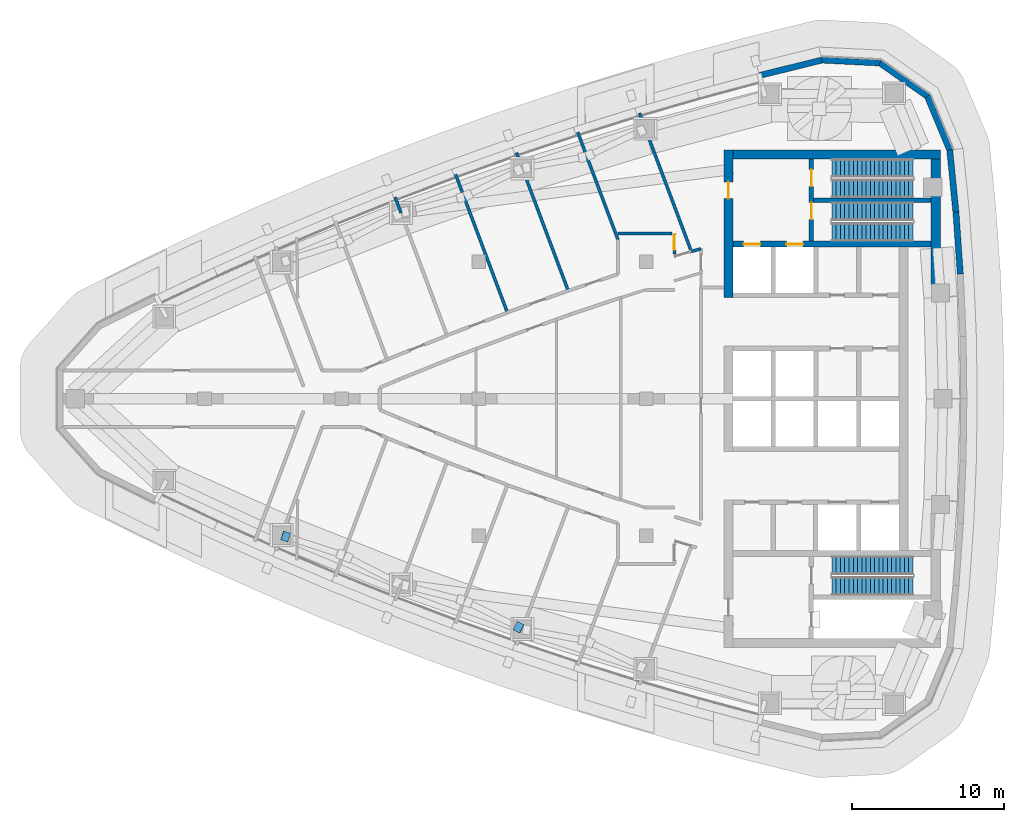
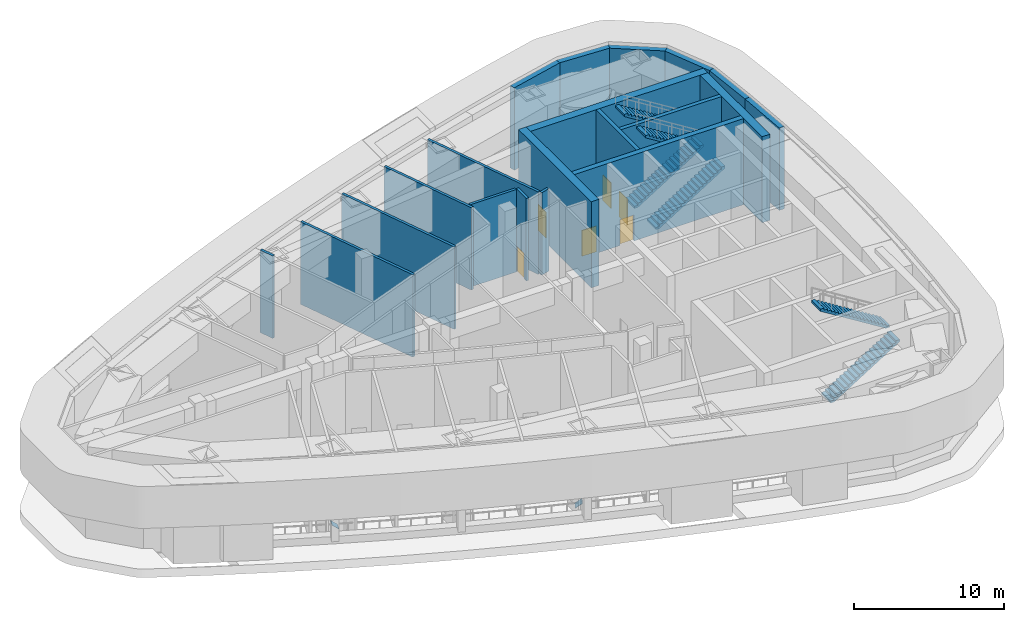
# One storey, part 5 of 12: 20 walls, 6 doors, 6 stair flights, 2 discrete accessories, 6 openings, 3 elements without a shape of their own.
"""IFC4 building model written with IfcOpenShell, lengths in metres."""

from ifc_helpers import new_model, si_unit, direction, frame, frame_2d, origin, origin_2d, place, context, subcontext, project, spatial, polyline, rectangle, outline, extrude, material, layer, layer_set, material_profile, profile_set, type_object, element, fill, aggregate, save


model = new_model("IFC4")

# Units and contexts
model_context = context("Model", 3, precision=1e-05, world=origin(), true_north=direction((0.0, 1.0)))
body_context = subcontext(model_context, "Body", "Model", "MODEL_VIEW")
ifc_project = project(units=[si_unit("LENGTHUNIT", "METRE"), si_unit("AREAUNIT", "SQUARE_METRE"), si_unit("VOLUMEUNIT", "CUBIC_METRE"), si_unit("PLANEANGLEUNIT", "RADIAN"), si_unit("MASSUNIT", "GRAM", prefix="KILO")], contexts=[model_context])

# Site, building, storey
site_placement = place(None, origin())
site = spatial("IfcSite", under=ifc_project, at=site_placement, CompositionType="ELEMENT")
building_placement = place(site_placement, origin())
building = spatial("IfcBuilding", under=site, at=building_placement, Name="Ostrand Prow Hotel Tower", CompositionType="ELEMENT")
storey_placement = place(building_placement, frame((0.0, 0.0, 256.300048828125)))
storey = spatial("IfcBuildingStorey", under=building, at=storey_placement, Name="L65", CompositionType="ELEMENT", Elevation=256.300048828125)

# Wall, openings, doors
ifc_material_1 = material(Name="Concrete C50/60", Category="concrete")
ifc_layer_1 = layer(ifc_material_1, 0.300048828125)
ifc_layer_set_1 = layer_set([ifc_layer_1], Name="Concrete C50/60")
wall_type_1 = type_object("IfcWallType", Name="Core wall 300 C50/60", PredefinedType="SHEAR", material=ifc_layer_set_1)
wall_1_placement = place(storey_placement, frame((55.85009765625, 10.35009765625, 0.0), z_axis=(0.0, 0.0, 1.0), x_axis=(0.0, 1.0, 0.0)))
wall_1 = element("IfcWall", 1, at=wall_1_placement, inside=storey, type_object=wall_type_1, Name="Core wall PW-VN", PredefinedType="SHEAR", context=body_context, shape_type="SweptSolid", body=[
    extrude(rectangle(XDim=5.39990234375, YDim=0.300048828125, at=frame_2d((2.699951171875, 0.0))), origin(), (0.0, 0.0, 1.0), 7.0),
])
opening_1_placement = place(wall_1_placement, frame((1.429931640625, 0.0, 0.0)))
opening_1 = element("IfcOpeningElement", 2, at=opening_1_placement, cuts=wall_1, Name="Opening FD1", PredefinedType="OPENING", context=body_context, shape_type="SweptSolid", body=[
    extrude(rectangle(XDim=1.10009765625, YDim=2.10009765625, at=frame_2d((0.550048828125, 1.050048828125))), frame((0.0, 0.159912109375, 0.0), z_axis=(0.0, -1.0, 0.0), x_axis=(1.0, 0.0, 0.0)), (0.0, 0.0, 1.0), 0.320068359375),
])
opening_2_placement = place(wall_1_placement, frame((3.60009765625, 0.0, 0.0)))
opening_2 = element("IfcOpeningElement", 3, at=opening_2_placement, cuts=wall_1, Name="Opening FD1", PredefinedType="OPENING", context=body_context, shape_type="SweptSolid", body=[
    extrude(rectangle(XDim=1.10009765625, YDim=2.10009765625, at=frame_2d((0.550048828125, 1.050048828125))), frame((0.0, 0.159912109375, 0.0), z_axis=(0.0, -1.0, 0.0), x_axis=(1.0, 0.0, 0.0)), (0.0, 0.0, 1.0), 0.320068359375),
])
ifc_material_2 = material(Name="Steel fire door", Category="steel")
door_type_1 = type_object("IfcDoorType", Name="Fire door 1100 EI120", OperationType="SINGLE_SWING_RIGHT", PredefinedType="DOOR", material=ifc_material_2)
door_1_placement = place(opening_1_placement, origin())
door_1 = element("IfcDoor", 4, at=door_1_placement, inside=storey, type_object=door_type_1, Name="FIRE DOOR", OperationType="SINGLE_SWING_RIGHT", OverallHeight=2.10009765625, OverallWidth=1.10009765625, PredefinedType="DOOR", context=body_context, shape_type="SweptSolid", body=[
    extrude(rectangle(XDim=1.10009765625, YDim=2.10009765625, at=frame_2d((0.550048828125, 1.050048828125))), frame((0.0, 0.02490234375, 0.0), z_axis=(0.0, -1.0, 0.0), x_axis=(1.0, 0.0, 0.0)), (0.0, 0.0, 1.0), 0.050048828125),
])
fill(opening_1, door_1)
door_2_placement = place(opening_2_placement, origin())
door_2 = element("IfcDoor", 5, at=door_2_placement, inside=storey, type_object=door_type_1, Name="FIRE DOOR", OperationType="SINGLE_SWING_RIGHT", OverallHeight=2.10009765625, OverallWidth=1.10009765625, PredefinedType="DOOR", context=body_context, shape_type="SweptSolid", body=[
    extrude(rectangle(XDim=1.10009765625, YDim=2.10009765625, at=frame_2d((0.550048828125, 1.050048828125))), frame((0.0, 0.02490234375, 0.0), z_axis=(0.0, -1.0, 0.0), x_axis=(1.0, 0.0, 0.0)), (0.0, 0.0, 1.0), 0.050048828125),
])
fill(opening_2, door_2)

# Wall
wall_2_placement = place(storey_placement, frame((56.0, 13.050048828125, 0.0), z_axis=(0.0, 0.0, 1.0), x_axis=(1.0, 0.0, 0.0)))
element("IfcWall", 6, at=wall_2_placement, inside=storey, type_object=wall_type_1, Name="Core wall PW-ST13", PredefinedType="SHEAR", context=body_context, shape_type="SweptSolid", body=[
    extrude(rectangle(XDim=7.719970703125, YDim=0.300048828125, at=frame_2d((3.85986328125, 0.0))), origin(), (0.0, 0.0, 1.0), 7.0),
])

# Wall, openings, doors
ifc_material_3 = material(Name="Concrete C50/60", Category="concrete")
ifc_layer_2 = layer(ifc_material_3, 0.39990234375)
ifc_layer_set_2 = layer_set([ifc_layer_2], Name="Concrete C50/60")
wall_type_2 = type_object("IfcWallType", Name="Core wall 400 C50/60", PredefinedType="SHEAR", material=ifc_layer_set_2)
wall_3_placement = place(storey_placement, frame((50.699951171875, 10.14990234375, 0.0), z_axis=(0.0, 0.0, 1.0), x_axis=(1.0, 0.0, 0.0)))
wall_3 = element("IfcWall", 7, at=wall_3_placement, inside=storey, type_object=wall_type_2, Name="Core wall PW-BN", PredefinedType="SHEAR", context=body_context, shape_type="SweptSolid", body=[
    extrude(rectangle(XDim=13.02001953125, YDim=0.39990234375, at=frame_2d((6.510009765625, 0.0))), origin(), (0.0, 0.0, 1.0), 7.0),
])
opening_3_placement = place(wall_3_placement, frame((0.699951171875, 0.0, 0.0)))
opening_3 = element("IfcOpeningElement", 8, at=opening_3_placement, cuts=wall_3, Name="Opening LD", PredefinedType="OPENING", context=body_context, shape_type="SweptSolid", body=[
    extrude(rectangle(XDim=1.10009765625, YDim=2.10009765625, at=frame_2d((0.550048828125, 1.050048828125))), frame((0.0, 0.2099609375, 0.0), z_axis=(0.0, -1.0, 0.0), x_axis=(1.0, 0.0, 0.0)), (0.0, 0.0, 1.0), 0.419921875),
])
opening_4_placement = place(wall_3_placement, frame((3.5, 0.0, 0.0)))
opening_4 = element("IfcOpeningElement", 9, at=opening_4_placement, cuts=wall_3, Name="Opening LD", PredefinedType="OPENING", context=body_context, shape_type="SweptSolid", body=[
    extrude(rectangle(XDim=1.10009765625, YDim=2.10009765625, at=frame_2d((0.550048828125, 1.050048828125))), frame((0.0, 0.2099609375, 0.0), z_axis=(0.0, -1.0, 0.0), x_axis=(1.0, 0.0, 0.0)), (0.0, 0.0, 1.0), 0.419921875),
])
ifc_material_4 = material(Name="Stainless steel door", Category="steel")
door_type_2 = type_object("IfcDoorType", Name="Lift landing door 1100", OperationType="DOUBLE_DOOR_SLIDING", PredefinedType="DOOR", material=ifc_material_4)
door_3_placement = place(opening_3_placement, origin())
door_3 = element("IfcDoor", 10, at=door_3_placement, inside=storey, type_object=door_type_2, Name="LIFT LANDING DOOR", OperationType="DOUBLE_DOOR_SLIDING", OverallHeight=2.10009765625, OverallWidth=1.10009765625, PredefinedType="DOOR", context=body_context, shape_type="SweptSolid", body=[
    extrude(rectangle(XDim=1.10009765625, YDim=2.10009765625, at=frame_2d((0.550048828125, 1.050048828125))), frame((0.0, 0.02490234375, 0.0), z_axis=(0.0, -1.0, 0.0), x_axis=(1.0, 0.0, 0.0)), (0.0, 0.0, 1.0), 0.050048828125),
])
fill(opening_3, door_3)
door_4_placement = place(opening_4_placement, origin())
door_4 = element("IfcDoor", 11, at=door_4_placement, inside=storey, type_object=door_type_2, Name="LIFT LANDING DOOR", OperationType="DOUBLE_DOOR_SLIDING", OverallHeight=2.10009765625, OverallWidth=1.10009765625, PredefinedType="DOOR", context=body_context, shape_type="SweptSolid", body=[
    extrude(rectangle(XDim=1.10009765625, YDim=2.10009765625, at=frame_2d((0.550048828125, 1.050048828125))), frame((0.0, 0.02490234375, 0.0), z_axis=(0.0, -1.0, 0.0), x_axis=(1.0, 0.0, 0.0)), (0.0, 0.0, 1.0), 0.050048828125),
])
fill(opening_4, door_4)

# Wall, opening, door
ifc_material_5 = material(Name="Concrete C50/60", Category="concrete")
ifc_layer_3 = layer(ifc_material_5, 0.60009765625)
ifc_layer_set_3 = layer_set([ifc_layer_3], Name="Concrete C50/60")
wall_type_3 = type_object("IfcWallType", Name="Core wall 600 C50/60", PredefinedType="SHEAR", material=ifc_layer_set_3)
wall_4_placement = place(storey_placement, frame((50.39990234375, 6.64990234375, 0.0), z_axis=(0.0, 0.0, 1.0), x_axis=(0.0, 1.0, 0.0)))
wall_4 = element("IfcWall", 12, at=wall_4_placement, inside=storey, type_object=wall_type_3, Name="Core wall CW-W-N", PredefinedType="SHEAR", context=body_context, shape_type="SweptSolid", body=[
    extrude(rectangle(XDim=9.7001953125, YDim=0.60009765625, at=frame_2d((4.85009765625, 0.0))), origin(), (0.0, 0.0, 1.0), 7.0),
])
opening_5_placement = place(wall_4_placement, frame((6.5, 0.0, 0.0)))
opening_5 = element("IfcOpeningElement", 13, at=opening_5_placement, cuts=wall_4, Name="Opening FD1", PredefinedType="OPENING", context=body_context, shape_type="SweptSolid", body=[
    extrude(rectangle(XDim=1.10009765625, YDim=2.10009765625, at=frame_2d((0.550048828125, 1.050048828125))), frame((0.0, 0.31005859375, 0.0), z_axis=(0.0, -1.0, 0.0), x_axis=(1.0, 0.0, 0.0)), (0.0, 0.0, 1.0), 0.6201171875),
])
door_5_placement = place(opening_5_placement, origin())
door_5 = element("IfcDoor", 14, at=door_5_placement, inside=storey, type_object=door_type_1, Name="FIRE DOOR", OperationType="SINGLE_SWING_RIGHT", OverallHeight=2.10009765625, OverallWidth=1.10009765625, PredefinedType="DOOR", context=body_context, shape_type="SweptSolid", body=[
    extrude(rectangle(XDim=1.10009765625, YDim=2.10009765625, at=frame_2d((0.550048828125, 1.050048828125))), frame((0.0, 0.02490234375, 0.0), z_axis=(0.0, -1.0, 0.0), x_axis=(1.0, 0.0, 0.0)), (0.0, 0.0, 1.0), 0.050048828125),
])
fill(opening_5, door_5)

# Walls
wall_5_placement = place(storey_placement, frame((50.699951171875, 16.050048828125, 0.0), z_axis=(0.0, 0.0, 1.0), x_axis=(1.0, 0.0, 0.0)))
element("IfcWall", 15, at=wall_5_placement, inside=storey, type_object=wall_type_3, Name="Core wall CW-N", PredefinedType="SHEAR", context=body_context, shape_type="SweptSolid", body=[
    extrude(rectangle(XDim=13.6201171875, YDim=0.60009765625, at=frame_2d((6.81005859375, 0.0))), origin(), (0.0, 0.0, 1.0), 7.0),
])
wall_6_placement = place(storey_placement, frame((64.02001953125, 7.502197265625, 0.0), z_axis=(0.0, 0.0, 1.0), x_axis=(0.0, 1.0, 0.0)))
element("IfcWall", 16, at=wall_6_placement, inside=storey, type_object=wall_type_3, Name="Core wall CW-E-N", PredefinedType="SHEAR", context=body_context, shape_type="SweptSolid", body=[
    extrude(rectangle(XDim=8.247802734375, YDim=0.60009765625, at=frame_2d((4.1240234375, 0.0))), origin(), (0.0, 0.0, 1.0), 7.0),
])
ifc_material_6 = material(Name="Plasterboard partition")
ifc_layer_4 = layer(ifc_material_6, 0.199951171875)
ifc_layer_set_4 = layer_set([ifc_layer_4], Name="Plasterboard partition")
wall_type_4 = type_object("IfcWallType", Name="Partition 200 corridor wall", PredefinedType="PARTITIONING", material=ifc_layer_set_4)
wall_7_placement = place(storey_placement, frame((48.60009765625, 9.854248046875, 0.0), z_axis=(0.0, 0.0, 1.0), x_axis=(-0.960464925665, -0.27840101754, 0.0)))
element("IfcWall", 17, at=wall_7_placement, inside=storey, type_object=wall_type_4, Name="CORRIDOR WALL", PredefinedType="PARTITIONING", context=body_context, shape_type="SweptSolid", body=[
    extrude(rectangle(XDim=0.65673828125, YDim=0.199951171875, at=frame_2d((0.328369140625, 0.0))), origin(), (0.0, 0.0, 1.0), 6.699951171875),
])

# Wall, opening, door
wall_8_placement = place(storey_placement, frame((46.85009765625, 9.52001953125, 0.0), z_axis=(0.0, 0.0, 1.0), x_axis=(0.0007315287, 0.999999732433, 0.0)))
wall_8 = element("IfcWall", 18, at=wall_8_placement, inside=storey, type_object=wall_type_4, Name="CORRIDOR WALL", PredefinedType="PARTITIONING", context=body_context, shape_type="SweptSolid", body=[
    extrude(rectangle(XDim=1.3349609375, YDim=0.199951171875, at=frame_2d((0.66748046875, 0.0))), origin(), (0.0, 0.0, 1.0), 6.699951171875),
])
opening_6_placement = place(wall_8_placement, frame((0.257080078125, 0.0, 0.0)))
opening_6 = element("IfcOpeningElement", 19, at=opening_6_placement, cuts=wall_8, Name="Opening D1R", PredefinedType="OPENING", context=body_context, shape_type="SweptSolid", body=[
    extrude(rectangle(XDim=1.0, YDim=2.10009765625, at=frame_2d((0.5, 1.050048828125))), frame((0.0, 0.10986328125, 0.0), z_axis=(0.0, -1.0, 0.0), x_axis=(1.0, 0.0, 0.0)), (0.0, 0.0, 1.0), 0.219970703125),
])
ifc_material_7 = material(Name="Timber door leaf", Category="wood")
door_type_3 = type_object("IfcDoorType", Name="Guest room door 1000 right", OperationType="SINGLE_SWING_RIGHT", PredefinedType="DOOR", material=ifc_material_7)
door_6_placement = place(opening_6_placement, origin())
door_6 = element("IfcDoor", 20, at=door_6_placement, inside=storey, type_object=door_type_3, Name="DOOR", OperationType="SINGLE_SWING_RIGHT", OverallHeight=2.10009765625, OverallWidth=1.0, PredefinedType="DOOR", context=body_context, shape_type="SweptSolid", body=[
    extrude(rectangle(XDim=1.0, YDim=2.10009765625, at=frame_2d((0.5, 1.050048828125))), frame((0.0, 0.02490234375, 0.0), z_axis=(0.0, -1.0, 0.0), x_axis=(1.0, 0.0, 0.0)), (0.0, 0.0, 1.0), 0.050048828125),
])
fill(opening_6, door_6)

# Walls
wall_9_placement = place(storey_placement, frame((46.7109375, 10.85498046875, 0.0), z_axis=(0.0, 0.0, 1.0), x_axis=(-1.0, 0.0, 0.0)))
element("IfcWall", 21, at=wall_9_placement, inside=storey, type_object=wall_type_4, Name="CORRIDOR WALL", PredefinedType="PARTITIONING", context=body_context, shape_type="SweptSolid", body=[
    extrude(rectangle(XDim=3.5615234375, YDim=0.199951171875, at=frame_2d((1.78076171875, 0.0))), origin(), (0.0, 0.0, 1.0), 6.699951171875),
])
ifc_material_8 = material(Name="Plasterboard partition")
ifc_layer_5 = layer(ifc_material_8, 0.199951171875)
ifc_layer_set_5 = layer_set([ifc_layer_5], Name="Plasterboard partition")
wall_type_5 = type_object("IfcWallType", Name="Partition 200 key partition", PredefinedType="PARTITIONING", material=ifc_layer_set_5)
wall_10_placement = place(storey_placement, frame((28.900146484375, 12.20556640625, 0.0), z_axis=(0.0, 0.0, 1.0), x_axis=(-0.351196471421, 0.936301788133, 0.0)))
element("IfcWall", 22, at=wall_10_placement, inside=storey, type_object=wall_type_5, Name="KEY PARTITION", PredefinedType="PARTITIONING", context=body_context, shape_type="SweptSolid", body=[
    extrude(rectangle(XDim=1.09912109375, YDim=0.199951171875, at=frame_2d((0.549560546875, 0.0))), origin(), (0.0, 0.0, 1.0), 6.699951171875),
])
wall_11_placement = place(storey_placement, frame((35.888916015625, 5.654296875, 0.0), z_axis=(0.0, 0.0, 1.0), x_axis=(-0.351117925717, 0.936331246002, 0.0)))
element("IfcWall", 23, at=wall_11_placement, inside=storey, type_object=wall_type_5, Name="KEY PARTITION", PredefinedType="PARTITIONING", context=body_context, shape_type="SweptSolid", body=[
    extrude(rectangle(XDim=9.701171875, YDim=0.199951171875, at=frame_2d((4.8505859375, 0.0))), origin(), (0.0, 0.0, 1.0), 6.699951171875),
])
wall_12_placement = place(storey_placement, frame((39.889404296875, 7.072265625, 0.0), z_axis=(0.0, 0.0, 1.0), x_axis=(-0.35112895446, 0.936327110224, 0.0)))
element("IfcWall", 24, at=wall_12_placement, inside=storey, type_object=wall_type_5, Name="KEY PARTITION", PredefinedType="PARTITIONING", context=body_context, shape_type="SweptSolid", body=[
    extrude(rectangle(XDim=9.706298828125, YDim=0.199951171875, at=frame_2d((4.85302734375, 0.0))), origin(), (0.0, 0.0, 1.0), 6.699951171875),
])
wall_13_placement = place(storey_placement, frame((43.14990234375, 10.449951171875, 0.0), z_axis=(0.0, 0.0, 1.0), x_axis=(-0.351119888923, 0.936330509811, 0.0)))
element("IfcWall", 25, at=wall_13_placement, inside=storey, type_object=wall_type_5, Name="KEY PARTITION", PredefinedType="PARTITIONING", context=body_context, shape_type="SweptSolid", body=[
    extrude(rectangle(XDim=7.531005859375, YDim=0.199951171875, at=frame_2d((3.765625, 0.0))), origin(), (0.0, 0.0, 1.0), 6.699951171875),
])
wall_14_placement = place(storey_placement, frame((47.920166015625, 9.80224609375, 0.0), z_axis=(0.0, 0.0, 1.0), x_axis=(-0.351129033777, 0.936327080479, 0.0)))
element("IfcWall", 26, at=wall_14_placement, inside=storey, type_object=wall_type_5, Name="KEY PARTITION", PredefinedType="PARTITIONING", context=body_context, shape_type="SweptSolid", body=[
    extrude(rectangle(XDim=9.56884765625, YDim=0.199951171875, at=frame_2d((4.784423828125, 0.0))), origin(), (0.0, 0.0, 1.0), 6.699951171875),
])
ifc_material_9 = material(Name="Precast concrete C40/50", Category="concrete")
ifc_layer_6 = layer(ifc_material_9, 0.39990234375)
ifc_layer_set_6 = layer_set([ifc_layer_6], Name="Precast concrete C40/50")
wall_type_6 = type_object("IfcWallType", Name="Stone-faced precast wall 400 mm", PredefinedType="NOTDEFINED", material=ifc_layer_set_6)
wall_15_placement = place(storey_placement, frame((65.630615234375, 8.181640625, 0.0), z_axis=(0.0, 0.0, 1.0), x_axis=(-0.070623905352, 0.997503014528, 0.0)))
element("IfcWall", 27, at=wall_15_placement, inside=storey, type_object=wall_type_6, Name="Stone-faced wall back 11", PredefinedType="NOTDEFINED", context=body_context, shape_type="SweptSolid", body=[
    extrude(outline(polyline([(-0.002685546875, -0.199951171875), (4.095703125, -0.199951171875), (4.09033203125, 0.199951171875), (0.002685546875, 0.199951171875), (-0.002685546875, -0.199951171875)])), origin(), (0.0, 0.0, 1.0), 6.699951171875),
])
wall_16_placement = place(storey_placement, frame((65.341552734375, 12.264404296875, 0.0), z_axis=(0.0, 0.0, 1.0), x_axis=(-0.098718218066, 0.995115427185, 0.0)))
element("IfcWall", 28, at=wall_16_placement, inside=storey, type_object=wall_type_6, Name="Stone-faced wall back 12", PredefinedType="NOTDEFINED", context=body_context, shape_type="SweptSolid", body=[
    extrude(outline(polyline([(-0.002685546875, -0.199951171875), (4.122802734375, -0.199951171875), (4.063232421875, 0.199951171875), (0.002685546875, 0.199951171875), (-0.002685546875, -0.199951171875)])), origin(), (0.0, 0.0, 1.0), 6.699951171875),
])
wall_17_placement = place(storey_placement, frame((64.9375, 16.33740234375, 0.0), z_axis=(0.0, 0.0, 1.0), x_axis=(-0.3844335483, 0.923152667191, 0.0)))
element("IfcWall", 29, at=wall_17_placement, inside=storey, type_object=wall_type_6, Name="Stone-faced wall back 13", PredefinedType="NOTDEFINED", context=body_context, shape_type="SweptSolid", body=[
    extrude(outline(polyline([(-0.02978515625, -0.199951171875), (3.871337890625, -0.199951171875), (3.755615234375, 0.199951171875), (0.02978515625, 0.199951171875), (-0.02978515625, -0.199951171875)])), origin(), (0.0, 0.0, 1.0), 6.699951171875),
])
wall_18_placement = place(storey_placement, frame((63.471435546875, 19.85791015625, 0.0), z_axis=(0.0, 0.0, 1.0), x_axis=(-0.817942545532, 0.575299915009, 0.0)))
element("IfcWall", 30, at=wall_18_placement, inside=storey, type_object=wall_type_6, Name="Stone-faced wall back 14", PredefinedType="NOTDEFINED", context=body_context, shape_type="SweptSolid", body=[
    extrude(outline(polyline([(-0.057861328125, -0.199951171875), (3.871337890625, -0.199951171875), (3.755615234375, 0.199951171875), (0.057861328125, 0.199951171875), (-0.057861328125, -0.199951171875)])), origin(), (0.0, 0.0, 1.0), 6.699951171875),
])
wall_19_placement = place(storey_placement, frame((60.352294921875, 22.0517578125, 0.0), z_axis=(0.0, 0.0, 1.0), x_axis=(-0.998758875872, 0.049806705046, 0.0)))
element("IfcWall", 31, at=wall_19_placement, inside=storey, type_object=wall_type_6, Name="Stone-faced wall back 15", PredefinedType="NOTDEFINED", context=body_context, shape_type="SweptSolid", body=[
    extrude(outline(polyline([(-0.057861328125, -0.199951171875), (3.8427734375, -0.199951171875), (3.7841796875, 0.199951171875), (0.057861328125, 0.199951171875), (-0.057861328125, -0.199951171875)])), origin(), (0.0, 0.0, 1.0), 6.699951171875),
])
wall_20_placement = place(storey_placement, frame((56.54345703125, 22.24169921875, 0.0), z_axis=(0.0, 0.0, 1.0), x_axis=(-0.970902342456, -0.23947576373, 0.0)))
element("IfcWall", 32, at=wall_20_placement, inside=storey, type_object=wall_type_6, Name="Stone-faced wall back 16", PredefinedType="NOTDEFINED", context=body_context, shape_type="SweptSolid", body=[
    extrude(outline(polyline([(-0.029296875, -0.199951171875), (4.225830078125, -0.199951171875), (4.225830078125, 0.199951171875), (0.029296875, 0.199951171875), (-0.029296875, -0.199951171875)])), origin(), (0.0, 0.0, 1.0), 6.699951171875),
])

# Stair, stair flights
ifc_material_10 = material(Name="Concrete C40/50", Category="concrete")
stair_type = type_object("IfcStairType", Name="Exit stair 1200 upper zone", PredefinedType="HALF_TURN_STAIR", material=ifc_material_10)
stair_1_placement = place(storey_placement, origin())
stair_1 = element("IfcStair", 33, at=stair_1_placement, inside=storey, type_object=stair_type, Name="L65 ST1C", PredefinedType="HALF_TURN_STAIR")
ifc_material_11 = material(Name="Concrete C40/50", Category="concrete")
stair_flight_type = type_object("IfcStairFlightType", Name="Stair flight 1200 concrete", PredefinedType="STRAIGHT", material=ifc_material_11)
stair_flight_1_placement = place(storey_placement, frame((57.199951171875, 10.949951171875, 0.0), z_axis=(0.0, 0.0, 1.0), x_axis=(1.0, 0.0, 0.0)))
stair_flight_1 = element("IfcStairFlight", 34, at=stair_flight_1_placement, type_object=stair_flight_type, Name="ST1C flight 1", NumberOfRisers=20, NumberOfTreads=19, PredefinedType="STRAIGHT", RiserHeight=0.175, TreadLength=0.28, context=body_context, shape_type="SweptSolid", body=[
    extrude(outline(polyline([(0.0, 0.0), (0.0, 0.175048828125), (0.280029296875, 0.175048828125), (0.280029296875, 0.35009765625), (0.56005859375, 0.35009765625), (0.56005859375, 0.52490234375), (0.840087890625, 0.52490234375), (0.840087890625, 0.699951171875), (1.1201171875, 0.699951171875), (1.1201171875, 0.875), (1.39990234375, 0.875), (1.39990234375, 1.050048828125), (1.679931640625, 1.050048828125), (1.679931640625, 1.22509765625), (1.9599609375, 1.22509765625), (1.9599609375, 1.39990234375), (2.239990234375, 1.39990234375), (2.239990234375, 1.574951171875), (2.52001953125, 1.574951171875), (2.52001953125, 1.75), (2.800048828125, 1.75), (2.800048828125, 1.925048828125), (3.080078125, 1.925048828125), (3.080078125, 2.10009765625), (3.360107421875, 2.10009765625), (3.360107421875, 2.27490234375), (3.639892578125, 2.27490234375), (3.639892578125, 2.449951171875), (3.919921875, 2.449951171875), (3.919921875, 2.625), (4.199951171875, 2.625), (4.199951171875, 2.800048828125), (4.47998046875, 2.800048828125), (4.47998046875, 2.97509765625), (4.760009765625, 2.97509765625), (4.760009765625, 3.14990234375), (5.0400390625, 3.14990234375), (5.0400390625, 3.324951171875), (5.320068359375, 3.324951171875), (5.320068359375, 3.5), (5.320068359375, 3.148193359375), (0.28271484375, 0.0), (0.0, 0.0)])), frame((0.0, 0.60009765625, 0.0), z_axis=(0.0, -1.0, 0.0), x_axis=(1.0, 0.0, 0.0)), (0.0, 0.0, 1.0), 1.199951171875),
])
stair_flight_2_placement = place(storey_placement, frame((62.52001953125, 12.300048828125, 3.5), z_axis=(0.0, 0.0, 1.0), x_axis=(-1.0, 0.0, 0.0)))
stair_flight_2 = element("IfcStairFlight", 35, at=stair_flight_2_placement, type_object=stair_flight_type, Name="ST1C flight 2", NumberOfRisers=20, NumberOfTreads=19, PredefinedType="STRAIGHT", RiserHeight=0.175, TreadLength=0.28, context=body_context, shape_type="SweptSolid", body=[
    extrude(outline(polyline([(0.0, 0.0), (0.0, 0.175048828125), (0.280029296875, 0.175048828125), (0.280029296875, 0.35009765625), (0.56005859375, 0.35009765625), (0.56005859375, 0.52490234375), (0.840087890625, 0.52490234375), (0.840087890625, 0.699951171875), (1.1201171875, 0.699951171875), (1.1201171875, 0.875), (1.39990234375, 0.875), (1.39990234375, 1.050048828125), (1.679931640625, 1.050048828125), (1.679931640625, 1.22509765625), (1.9599609375, 1.22509765625), (1.9599609375, 1.39990234375), (2.239990234375, 1.39990234375), (2.239990234375, 1.574951171875), (2.52001953125, 1.574951171875), (2.52001953125, 1.75), (2.800048828125, 1.75), (2.800048828125, 1.925048828125), (3.080078125, 1.925048828125), (3.080078125, 2.10009765625), (3.360107421875, 2.10009765625), (3.360107421875, 2.27490234375), (3.639892578125, 2.27490234375), (3.639892578125, 2.449951171875), (3.919921875, 2.449951171875), (3.919921875, 2.625), (4.199951171875, 2.625), (4.199951171875, 2.800048828125), (4.47998046875, 2.800048828125), (4.47998046875, 2.97509765625), (4.760009765625, 2.97509765625), (4.760009765625, 3.14990234375), (5.0400390625, 3.14990234375), (5.0400390625, 3.324951171875), (5.320068359375, 3.324951171875), (5.320068359375, 3.5), (5.320068359375, 3.148193359375), (0.28271484375, 0.0), (0.0, 0.0)])), frame((0.0, 0.60009765625, 0.0), z_axis=(0.0, -1.0, 0.0), x_axis=(1.0, 0.0, 0.0)), (0.0, 0.0, 1.0), 1.199951171875),
])
aggregate(stair_1, [stair_flight_1, stair_flight_2])

stair_2_placement = place(storey_placement, origin())
stair_2 = element("IfcStair", 36, at=stair_2_placement, inside=storey, type_object=stair_type, Name="L65 ST3C", PredefinedType="HALF_TURN_STAIR")
stair_flight_3_placement = place(storey_placement, frame((57.199951171875, 13.800048828125, 0.0), z_axis=(0.0, 0.0, 1.0), x_axis=(1.0, 0.0, 0.0)))
stair_flight_3 = element("IfcStairFlight", 37, at=stair_flight_3_placement, type_object=stair_flight_type, Name="ST3C flight 1", NumberOfRisers=20, NumberOfTreads=19, PredefinedType="STRAIGHT", RiserHeight=0.175, TreadLength=0.28, context=body_context, shape_type="SweptSolid", body=[
    extrude(outline(polyline([(0.0, 0.0), (0.0, 0.175048828125), (0.280029296875, 0.175048828125), (0.280029296875, 0.35009765625), (0.56005859375, 0.35009765625), (0.56005859375, 0.52490234375), (0.840087890625, 0.52490234375), (0.840087890625, 0.699951171875), (1.1201171875, 0.699951171875), (1.1201171875, 0.875), (1.39990234375, 0.875), (1.39990234375, 1.050048828125), (1.679931640625, 1.050048828125), (1.679931640625, 1.22509765625), (1.9599609375, 1.22509765625), (1.9599609375, 1.39990234375), (2.239990234375, 1.39990234375), (2.239990234375, 1.574951171875), (2.52001953125, 1.574951171875), (2.52001953125, 1.75), (2.800048828125, 1.75), (2.800048828125, 1.925048828125), (3.080078125, 1.925048828125), (3.080078125, 2.10009765625), (3.360107421875, 2.10009765625), (3.360107421875, 2.27490234375), (3.639892578125, 2.27490234375), (3.639892578125, 2.449951171875), (3.919921875, 2.449951171875), (3.919921875, 2.625), (4.199951171875, 2.625), (4.199951171875, 2.800048828125), (4.47998046875, 2.800048828125), (4.47998046875, 2.97509765625), (4.760009765625, 2.97509765625), (4.760009765625, 3.14990234375), (5.0400390625, 3.14990234375), (5.0400390625, 3.324951171875), (5.320068359375, 3.324951171875), (5.320068359375, 3.5), (5.320068359375, 3.148193359375), (0.28271484375, 0.0), (0.0, 0.0)])), frame((0.0, 0.60009765625, 0.0), z_axis=(0.0, -1.0, 0.0), x_axis=(1.0, 0.0, 0.0)), (0.0, 0.0, 1.0), 1.199951171875),
])
stair_flight_4_placement = place(storey_placement, frame((62.52001953125, 15.14990234375, 3.5), z_axis=(0.0, 0.0, 1.0), x_axis=(-1.0, 0.0, 0.0)))
stair_flight_4 = element("IfcStairFlight", 38, at=stair_flight_4_placement, type_object=stair_flight_type, Name="ST3C flight 2", NumberOfRisers=20, NumberOfTreads=19, PredefinedType="STRAIGHT", RiserHeight=0.175, TreadLength=0.28, context=body_context, shape_type="SweptSolid", body=[
    extrude(outline(polyline([(0.0, 0.0), (0.0, 0.175048828125), (0.280029296875, 0.175048828125), (0.280029296875, 0.35009765625), (0.56005859375, 0.35009765625), (0.56005859375, 0.52490234375), (0.840087890625, 0.52490234375), (0.840087890625, 0.699951171875), (1.1201171875, 0.699951171875), (1.1201171875, 0.875), (1.39990234375, 0.875), (1.39990234375, 1.050048828125), (1.679931640625, 1.050048828125), (1.679931640625, 1.22509765625), (1.9599609375, 1.22509765625), (1.9599609375, 1.39990234375), (2.239990234375, 1.39990234375), (2.239990234375, 1.574951171875), (2.52001953125, 1.574951171875), (2.52001953125, 1.75), (2.800048828125, 1.75), (2.800048828125, 1.925048828125), (3.080078125, 1.925048828125), (3.080078125, 2.10009765625), (3.360107421875, 2.10009765625), (3.360107421875, 2.27490234375), (3.639892578125, 2.27490234375), (3.639892578125, 2.449951171875), (3.919921875, 2.449951171875), (3.919921875, 2.625), (4.199951171875, 2.625), (4.199951171875, 2.800048828125), (4.47998046875, 2.800048828125), (4.47998046875, 2.97509765625), (4.760009765625, 2.97509765625), (4.760009765625, 3.14990234375), (5.0400390625, 3.14990234375), (5.0400390625, 3.324951171875), (5.320068359375, 3.324951171875), (5.320068359375, 3.5), (5.320068359375, 3.148193359375), (0.28271484375, 0.0), (0.0, 0.0)])), frame((0.0, 0.60009765625, 0.0), z_axis=(0.0, -1.0, 0.0), x_axis=(1.0, 0.0, 0.0)), (0.0, 0.0, 1.0), 1.199951171875),
])
aggregate(stair_2, [stair_flight_3, stair_flight_4])

stair_3_placement = place(storey_placement, origin())
stair_3 = element("IfcStair", 39, at=stair_3_placement, inside=storey, type_object=stair_type, Name="L65 ST2C", PredefinedType="HALF_TURN_STAIR")
stair_flight_5_placement = place(storey_placement, frame((57.199951171875, -12.300048828125, 0.0), z_axis=(0.0, 0.0, 1.0), x_axis=(1.0, 0.0, 0.0)))
stair_flight_5 = element("IfcStairFlight", 40, at=stair_flight_5_placement, type_object=stair_flight_type, Name="ST2C flight 1", NumberOfRisers=20, NumberOfTreads=19, PredefinedType="STRAIGHT", RiserHeight=0.175, TreadLength=0.28, context=body_context, shape_type="SweptSolid", body=[
    extrude(outline(polyline([(0.0, 0.0), (0.0, 0.175048828125), (0.280029296875, 0.175048828125), (0.280029296875, 0.35009765625), (0.56005859375, 0.35009765625), (0.56005859375, 0.52490234375), (0.840087890625, 0.52490234375), (0.840087890625, 0.699951171875), (1.1201171875, 0.699951171875), (1.1201171875, 0.875), (1.39990234375, 0.875), (1.39990234375, 1.050048828125), (1.679931640625, 1.050048828125), (1.679931640625, 1.22509765625), (1.9599609375, 1.22509765625), (1.9599609375, 1.39990234375), (2.239990234375, 1.39990234375), (2.239990234375, 1.574951171875), (2.52001953125, 1.574951171875), (2.52001953125, 1.75), (2.800048828125, 1.75), (2.800048828125, 1.925048828125), (3.080078125, 1.925048828125), (3.080078125, 2.10009765625), (3.360107421875, 2.10009765625), (3.360107421875, 2.27490234375), (3.639892578125, 2.27490234375), (3.639892578125, 2.449951171875), (3.919921875, 2.449951171875), (3.919921875, 2.625), (4.199951171875, 2.625), (4.199951171875, 2.800048828125), (4.47998046875, 2.800048828125), (4.47998046875, 2.97509765625), (4.760009765625, 2.97509765625), (4.760009765625, 3.14990234375), (5.0400390625, 3.14990234375), (5.0400390625, 3.324951171875), (5.320068359375, 3.324951171875), (5.320068359375, 3.5), (5.320068359375, 3.148193359375), (0.28271484375, 0.0), (0.0, 0.0)])), frame((0.0, 0.60009765625, 0.0), z_axis=(0.0, -1.0, 0.0), x_axis=(1.0, 0.0, 0.0)), (0.0, 0.0, 1.0), 1.199951171875),
])
stair_flight_6_placement = place(storey_placement, frame((62.52001953125, -10.949951171875, 3.5), z_axis=(0.0, 0.0, 1.0), x_axis=(-1.0, 0.0, 0.0)))
stair_flight_6 = element("IfcStairFlight", 41, at=stair_flight_6_placement, type_object=stair_flight_type, Name="ST2C flight 2", NumberOfRisers=20, NumberOfTreads=19, PredefinedType="STRAIGHT", RiserHeight=0.175, TreadLength=0.28, context=body_context, shape_type="SweptSolid", body=[
    extrude(outline(polyline([(0.0, 0.0), (0.0, 0.175048828125), (0.280029296875, 0.175048828125), (0.280029296875, 0.35009765625), (0.56005859375, 0.35009765625), (0.56005859375, 0.52490234375), (0.840087890625, 0.52490234375), (0.840087890625, 0.699951171875), (1.1201171875, 0.699951171875), (1.1201171875, 0.875), (1.39990234375, 0.875), (1.39990234375, 1.050048828125), (1.679931640625, 1.050048828125), (1.679931640625, 1.22509765625), (1.9599609375, 1.22509765625), (1.9599609375, 1.39990234375), (2.239990234375, 1.39990234375), (2.239990234375, 1.574951171875), (2.52001953125, 1.574951171875), (2.52001953125, 1.75), (2.800048828125, 1.75), (2.800048828125, 1.925048828125), (3.080078125, 1.925048828125), (3.080078125, 2.10009765625), (3.360107421875, 2.10009765625), (3.360107421875, 2.27490234375), (3.639892578125, 2.27490234375), (3.639892578125, 2.449951171875), (3.919921875, 2.449951171875), (3.919921875, 2.625), (4.199951171875, 2.625), (4.199951171875, 2.800048828125), (4.47998046875, 2.800048828125), (4.47998046875, 2.97509765625), (4.760009765625, 2.97509765625), (4.760009765625, 3.14990234375), (5.0400390625, 3.14990234375), (5.0400390625, 3.324951171875), (5.320068359375, 3.324951171875), (5.320068359375, 3.5), (5.320068359375, 3.148193359375), (0.28271484375, 0.0), (0.0, 0.0)])), frame((0.0, 0.60009765625, 0.0), z_axis=(0.0, -1.0, 0.0), x_axis=(1.0, 0.0, 0.0)), (0.0, 0.0, 1.0), 1.199951171875),
])
aggregate(stair_3, [stair_flight_5, stair_flight_6])

# Discrete accessories
ifc_material_12 = material(Name="Steel S355", Category="steel")
ifc_material_profile = material_profile(ifc_material_12, rectangle(XDim=0.60595703125, YDim=0.60595703125, at=origin_2d()), Name="PL 606x606x25")
ifc_profile_set = profile_set([ifc_material_profile], Name="Steel S355")
discrete_accessory_type = type_object("IfcDiscreteAccessoryType", Name="Gusset plate 606x606x25 S355", PredefinedType="USERDEFINED", material=ifc_profile_set)
for number, where, z_axis, x_axis, name in (
    (42, (21.315185546875, -9.041259765625, 0.34423828125), (0.591286282773, -0.184171137257, 0.78515063778), (0.297383659044, 0.954758063246, 0.0), "Gusset plate BR-01 foot"),
    (43, (36.62939453125, -15.0146484375, 0.347900390625), (-0.54279469454, 0.27139734727, 0.794806517005), (-0.4472135955, -0.894427191, 0.0), "Gusset plate BR-04 foot"),
):
    element("IfcDiscreteAccessory", number, at=place(storey_placement, frame(where, z_axis=z_axis, x_axis=x_axis)), inside=storey, type_object=discrete_accessory_type, Name=name, ObjectType="GUSSET PLATE", PredefinedType="USERDEFINED", context=body_context, shape_type="SweptSolid", body=[
        extrude(rectangle(XDim=0.60595703125, YDim=0.60595703125, at=origin_2d()), origin(), (0.0, 0.0, 1.0), 0.025146484375),
    ])

save(model, "model.ifc")
